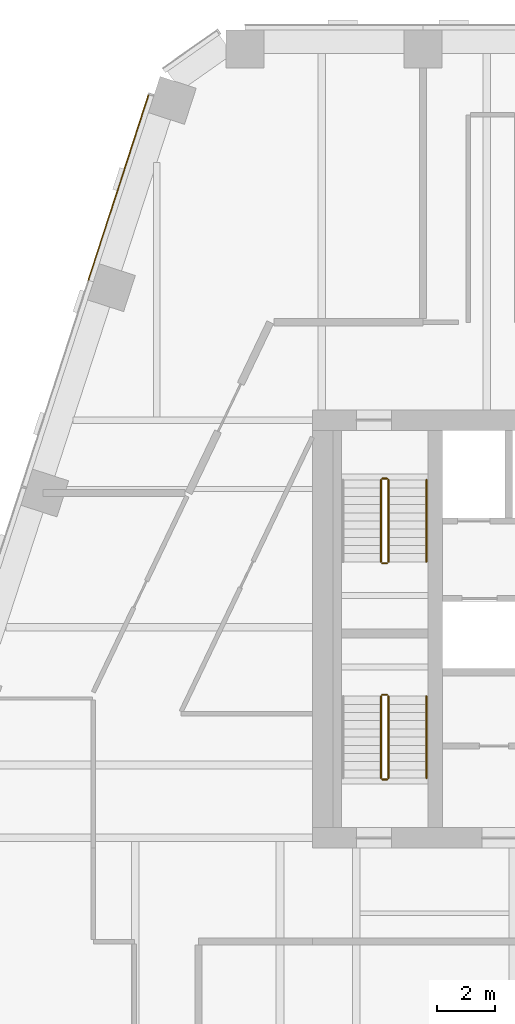
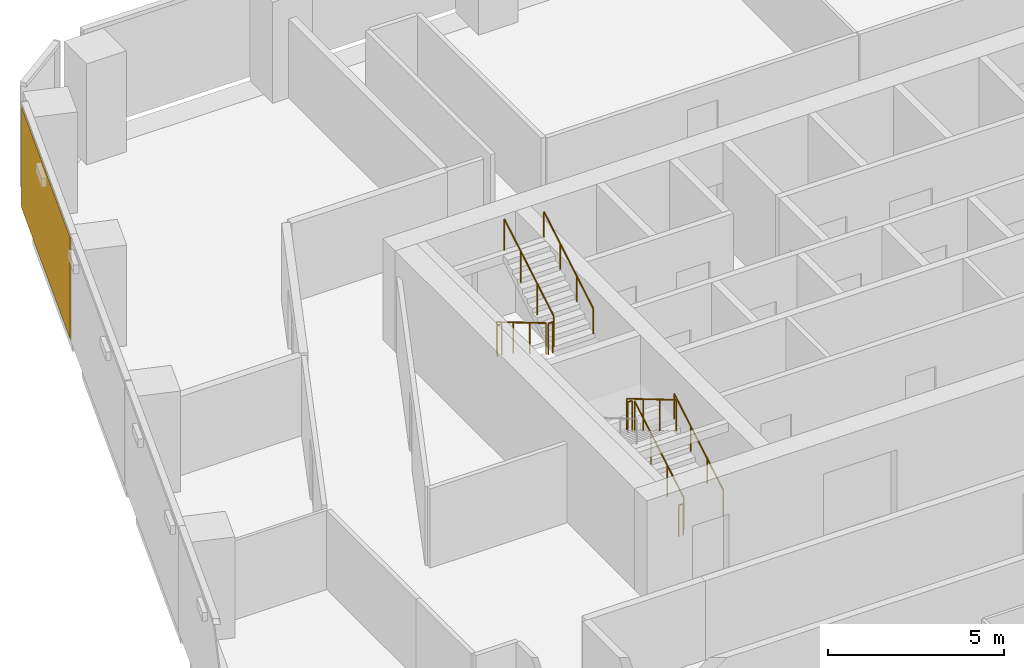
# One storey, part 16 of 17: 10 railings, 1 covering, 1 element without a shape of its own.
"""IFC4 building model written with IfcOpenShell, lengths in metres."""

import ifcopenshell
import ifcopenshell.guid

model = None  # the IFC model being written
_history = None  # IfcOwnerHistory: only IFC2X3 demands one
_inside = {}  # id of a spatial element -> (the spatial element, [elements in it])
_under = {}  # id of a project, library or spatial element -> (it, [spatial elements below it])
_declared = {}  # id of a project -> (the project, [libraries it declares])
_typed = {}  # id of a type object -> (the type object, [elements of that type])
_made_of = {}  # id of a material, layer set ... -> (it, [elements and type objects made of it])


def new_model(schema):
    """Start an empty IFC model of exactly this schema.

    Asked for "IFC4X3", IfcOpenShell would pick the latest addendum, in which some entities
    have other attributes; the version numbers below select the first issue.
    IFC2X3 requires an IfcOwnerHistory on every rooted entity: one is made here for all.
    """
    global model, _history
    if schema == "IFC4X3":
        model = ifcopenshell.file(schema_version=(4, 3, 0, 0))
    else:
        model = ifcopenshell.file(schema=schema)
    _inside.clear()
    _under.clear()
    _declared.clear()
    _typed.clear()
    _made_of.clear()
    _history = None
    if model.schema == "IFC2X3":
        org = make("IfcOrganization", Name="unknown")
        user = make(
            "IfcPersonAndOrganization",
            ThePerson=make("IfcPerson", FamilyName="unknown"),
            TheOrganization=org,
        )
        app = make(
            "IfcApplication",
            ApplicationDeveloper=org,
            Version="unknown",
            ApplicationFullName="unknown",
            ApplicationIdentifier="unknown",
        )
        _history = make(
            "IfcOwnerHistory",
            OwningUser=user,
            OwningApplication=app,
            ChangeAction="ADDED",
            CreationDate=0,
        )
    return model


def make(cls, **values):
    """One entity of the class cls with the attributes given. An attribute that is None is left unset."""
    return model.create_entity(
        cls, **{name: value for name, value in values.items() if value is not None}
    )


def rooted(cls, **values):
    """An entity with a GlobalId (a new one), such as an element, a storey or a relation."""
    return make(cls, GlobalId=ifcopenshell.guid.new(), OwnerHistory=_history, **values)


def si_unit(unit_type, name, prefix=None):
    """IfcSIUnit, for example si_unit("LENGTHUNIT", "METRE", prefix="MILLI")."""
    return make("IfcSIUnit", UnitType=unit_type, Prefix=prefix, Name=name)


def assignment(units):
    """IfcUnitAssignment: the units of a project."""
    return None if units is None else make("IfcUnitAssignment", Units=units)


def point(xyz):
    """IfcCartesianPoint."""
    return None if xyz is None else make("IfcCartesianPoint", Coordinates=xyz)


def direction(xyz):
    """IfcDirection."""
    return None if xyz is None else make("IfcDirection", DirectionRatios=xyz)


def frame(location, z_axis=None, x_axis=None):
    """IfcAxis2Placement3D, a coordinate frame: its origin and axes. An axis left out is left unset."""
    return make(
        "IfcAxis2Placement3D",
        Location=point(location),
        Axis=direction(z_axis),
        RefDirection=direction(x_axis),
    )


def frame_2d(location, x_axis=None):
    """IfcAxis2Placement2D, a coordinate frame in the plane: its origin and x axis."""
    return make(
        "IfcAxis2Placement2D", Location=point(location), RefDirection=direction(x_axis)
    )


def origin():
    """The frame at (0, 0, 0) with its axes left unset."""
    return frame((0.0, 0.0, 0.0))


def origin_2d():
    """The frame at (0, 0) in the plane with its x axis left unset."""
    return frame_2d((0.0, 0.0))


def place(relative_to, where):
    """IfcLocalPlacement: puts the frame where relative to a parent placement (None: the world)."""
    return make(
        "IfcLocalPlacement", PlacementRelTo=relative_to, RelativePlacement=where
    )


def context(
    kind, dimensions, precision=None, world=None, true_north=None, identifier=None
):
    """IfcGeometricRepresentationContext, for example the 3D "Model" context."""
    return make(
        "IfcGeometricRepresentationContext",
        ContextIdentifier=identifier,
        ContextType=kind,
        CoordinateSpaceDimension=dimensions,
        Precision=precision,
        WorldCoordinateSystem=world,
        TrueNorth=true_north,
    )


def subcontext(parent, identifier, kind, view, scale=None):
    """IfcGeometricRepresentationSubContext, for example "Body" below "Model"."""
    return make(
        "IfcGeometricRepresentationSubContext",
        ContextIdentifier=identifier,
        ContextType=kind,
        ParentContext=parent,
        TargetScale=scale,
        TargetView=view,
    )


def project(units=None, contexts=None):
    """IfcProject with its units and contexts."""
    return rooted(
        "IfcProject",
        Name="project",
        RepresentationContexts=contexts,
        UnitsInContext=assignment(units),
    )


def spatial(cls, under=None, at=None, **own):
    """A site, building, storey or space (cls), placed at a placement, below another one or the project."""
    s = rooted(cls, ObjectPlacement=at, **own)
    if under is not None:
        _under.setdefault(under.id(), (under, []))[1].append(s)
    return s


def profile(cls, at=None, kind="AREA", **sizes):
    """A parametric profile (cls). Its sizes go by their IFC names, for example OverallWidth=200.0."""
    return make(cls, ProfileType=kind, Position=at, **sizes)


def rectangle(**sizes):
    """IfcRectangleProfileDef."""
    return profile("IfcRectangleProfileDef", **sizes)


def circle(**sizes):
    """IfcCircleProfileDef."""
    return profile("IfcCircleProfileDef", **sizes)


def extrude(swept, where, along, depth):
    """IfcExtrudedAreaSolid: the profile swept, set in the frame where, extruded along a direction by depth."""
    return make(
        "IfcExtrudedAreaSolid",
        SweptArea=swept,
        Position=where,
        ExtrudedDirection=direction(along),
        Depth=depth,
    )


def shape(context_of_items, identifier, shape_type, items):
    """IfcShapeRepresentation: the items that make up one representation, for example the "Body"."""
    return make(
        "IfcShapeRepresentation",
        ContextOfItems=context_of_items,
        RepresentationIdentifier=identifier,
        RepresentationType=shape_type,
        Items=items,
    )


def material(Name=None, Category=None):
    """IfcMaterial."""
    return make("IfcMaterial", Name=Name, Category=Category)


def layer(
    of_material, thickness, ventilated=None, Name=None, Category=None, Priority=None
):
    """IfcMaterialLayer: one layer of a wall or slab, of a material (None: an air gap)."""
    return make(
        "IfcMaterialLayer",
        Material=of_material,
        LayerThickness=thickness,
        IsVentilated=ventilated,
        Name=Name,
        Category=Category,
        Priority=Priority,
    )


def layer_set(layers, Name=None):
    """IfcMaterialLayerSet."""
    return make("IfcMaterialLayerSet", MaterialLayers=layers, LayerSetName=Name)


def made_of(thing, what):
    """Note that an element or type object is made of a material, layer set ...; save() writes the relation."""
    if what is not None:
        _made_of.setdefault(what.id(), (what, []))[1].append(thing)
    return thing


def type_object(cls, material=None, **own):
    """A type object (cls), such as IfcWallType, which elements share."""
    return made_of(rooted(cls, **own), material)


def element(
    cls,
    number,
    at=None,
    inside=None,
    cuts=None,
    type_object=None,
    material=None,
    context=None,
    identifier="Body",
    shape_type=None,
    held_by="IfcProductDefinitionShape",
    body=None,
    shapes=None,
    **own,
):
    """One element of the class cls, such as IfcWall. Its Tag is "e" and its number.

    at: its placement. inside: the storey or other place that contains it. cuts: it is an
    opening in that element (IfcRelVoidsElement). A single representation is given by context,
    identifier, shape_type and body (its items); several are given by shapes. held_by: the class
    of the entity that holds the representations. save() writes the other relations.
    """
    e = rooted(cls, Tag="e%d" % number, ObjectPlacement=at, **own)
    if body is not None:
        shapes = [shape(context, identifier, shape_type, body)]
    if shapes is not None:
        e.Representation = make(held_by, Representations=shapes)
    if inside is not None:
        _inside.setdefault(inside.id(), (inside, []))[1].append(e)
    if cuts is not None:
        rooted(
            "IfcRelVoidsElement", RelatingBuildingElement=cuts, RelatedOpeningElement=e
        )
    if type_object is not None:
        _typed.setdefault(type_object.id(), (type_object, []))[1].append(e)
    return made_of(e, material)


def aggregate(whole, parts):
    """IfcRelAggregates: a whole, such as a stair, and the parts it consists of."""
    return rooted("IfcRelAggregates", RelatingObject=whole, RelatedObjects=parts)


def save(model, path):
    """Write the relations noted so far, then the file.

    IfcRelAggregates (storeys below a building ...), IfcRelContainedInSpatialStructure (elements
    in a storey), IfcRelDefinesByType, IfcRelAssociatesMaterial and IfcRelDeclares: one each for
    every whole, place, type object, material and project.
    """
    for whole, parts in _under.values():
        aggregate(whole, parts)
    for where, things in _inside.values():
        rooted(
            "IfcRelContainedInSpatialStructure",
            RelatedElements=things,
            RelatingStructure=where,
        )
    for kind, things in _typed.values():
        rooted("IfcRelDefinesByType", RelatedObjects=things, RelatingType=kind)
    for what, things in _made_of.values():
        rooted("IfcRelAssociatesMaterial", RelatedObjects=things, RelatingMaterial=what)
    for by, libraries in _declared.values():
        rooted("IfcRelDeclares", RelatingContext=by, RelatedDefinitions=libraries)
    model.write(path)


model = new_model("IFC4")

# Units and contexts
model_context = context("Model", 3, precision=1e-05, world=origin(), true_north=direction((0.0, 1.0)))
body_context = subcontext(model_context, "Body", "Model", "MODEL_VIEW")
ifc_project = project(units=[si_unit("LENGTHUNIT", "METRE"), si_unit("AREAUNIT", "SQUARE_METRE"), si_unit("VOLUMEUNIT", "CUBIC_METRE"), si_unit("PLANEANGLEUNIT", "RADIAN"), si_unit("MASSUNIT", "GRAM", prefix="KILO")], contexts=[model_context])

# Site, building, storey
site_placement = place(None, origin())
site = spatial("IfcSite", under=ifc_project, at=site_placement, CompositionType="ELEMENT")
building_placement = place(site_placement, origin())
building = spatial("IfcBuilding", under=site, at=building_placement, Name="Isthmus Gate Tower", CompositionType="ELEMENT")
storey_placement = place(building_placement, frame((0.0, 0.0, 200.0)))
storey = spatial("IfcBuildingStorey", under=building, at=storey_placement, Name="L50", CompositionType="ELEMENT", Elevation=200.0)

# Curtain wall, covering
ifc_material_1 = material(Name="Aluminium, pale champagne anodised", Category="aluminium")
ifc_layer_1 = layer(ifc_material_1, 0.199951171875)
ifc_layer_set_1 = layer_set([ifc_layer_1], Name="CW-1 UNITISED CURTAIN WALL 200 DEEP")
curtain_wall_type = type_object("IfcCurtainWallType", Name="CW-1 UNITISED CURTAIN WALL 200 DEEP", PredefinedType="NOTDEFINED", material=ifc_layer_set_1)
curtain_wall_placement = place(storey_placement, origin())
curtain_wall = element("IfcCurtainWall", 1, at=curtain_wall_placement, inside=storey, type_object=curtain_wall_type, Name="CW-1 NW L50", PredefinedType="NOTDEFINED")
ifc_material_2 = material(Name="Aluminium composite panel, pale champagne anodised", Category="aluminium")
ifc_layer_2 = layer(ifc_material_2, 0.035888671875)
ifc_layer_set_2 = layer_set([ifc_layer_2], Name="CW-1 PALE METAL PANEL 36")
covering_type = type_object("IfcCoveringType", Name="CW-1 PALE METAL PANEL 36", PredefinedType="CLADDING", material=ifc_layer_set_2)
covering_placement = place(storey_placement, frame((-21.6396484375, 22.619140625, 0.0), z_axis=(0.0, 0.0, 1.0), x_axis=(-0.309016994375, -0.951056516295, 0.0)))
covering = element("IfcCovering", 2, at=covering_placement, type_object=covering_type, Name="CW-1 pale metal panel", PredefinedType="CLADDING", context=body_context, shape_type="SweptSolid", body=[
    extrude(rectangle(XDim=6.680908203125, YDim=0.035888671875, at=origin_2d()), origin(), (0.0, 0.0, 1.0), 3.510009765625),
])
aggregate(curtain_wall, [covering])

# Railings
ifc_material_3 = material(Name="Stainless steel balustrade", Category="steel")
railing_type_1 = type_object("IfcRailingType", Name="STAIR GUARD 1100", PredefinedType="GUARDRAIL", material=ifc_material_3)
railing_1_placement = place(storey_placement, frame((-12.64990234375, 12.60009765625, 0.166015625)))
element("IfcRailing", 3, at=railing_1_placement, inside=storey, type_object=railing_type_1, Name="L50 ST1 stair guard 1", PredefinedType="GUARDRAIL", context=body_context, shape_type="SweptSolid", body=[
    extrude(circle(Radius=0.02392578125, at=origin_2d()), frame((0.0, 0.0, 1.076171875), z_axis=(0.0, -0.860339051648, 0.50972219513), x_axis=(1.0, 0.0, 0.0)), (0.0, 0.0, 1.0), 3.254638671875),
    extrude(circle(Radius=0.02099609375, at=origin_2d()), origin(), (0.0, 0.0, 1.0), 1.052001953125),
    extrude(circle(Radius=0.02099609375, at=origin_2d()), frame((0.0, -0.933349609375, 0.552978515625)), (0.0, 0.0, 1.0), 1.052001953125),
    extrude(circle(Radius=0.02099609375, at=origin_2d()), frame((0.0, -1.86669921875, 1.10595703125)), (0.0, 0.0, 1.0), 1.052001953125),
    extrude(circle(Radius=0.02099609375, at=origin_2d()), frame((0.0, -2.800048828125, 1.658935546875)), (0.0, 0.0, 1.0), 1.052001953125),
])
railing_2_placement = place(storey_placement, frame((-12.60009765625, 9.75, 1.824951171875)))
element("IfcRailing", 4, at=railing_2_placement, inside=storey, type_object=railing_type_1, Name="L50 ST1 stair guard 2", PredefinedType="GUARDRAIL", context=body_context, shape_type="SweptSolid", body=[
    extrude(circle(Radius=0.02392578125, at=origin_2d()), frame((0.0, 0.0, 1.076171875), z_axis=(1.0, 0.0, 0.0), x_axis=(0.0, 1.0, 0.0)), (0.0, 0.0, 1.0), 0.150146484375),
    extrude(circle(Radius=0.02099609375, at=origin_2d()), origin(), (0.0, 0.0, 1.0), 1.052001953125),
    extrude(circle(Radius=0.02099609375, at=origin_2d()), frame((0.150146484375, 0.0, 0.0)), (0.0, 0.0, 1.0), 1.052001953125),
])
railing_3_placement = place(storey_placement, frame((-12.39990234375, 9.800048828125, 1.990966796875)))
element("IfcRailing", 5, at=railing_3_placement, inside=storey, type_object=railing_type_1, Name="L50 ST1 stair guard 3", PredefinedType="GUARDRAIL", context=body_context, shape_type="SweptSolid", body=[
    extrude(circle(Radius=0.02392578125, at=origin_2d()), frame((0.0, 0.0, 1.076171875), z_axis=(0.0, 0.860339051648, 0.50972219513), x_axis=(-1.0, 0.0, 0.0)), (0.0, 0.0, 1.0), 3.254638671875),
    extrude(circle(Radius=0.02099609375, at=origin_2d()), origin(), (0.0, 0.0, 1.0), 1.052001953125),
    extrude(circle(Radius=0.02099609375, at=origin_2d()), frame((0.0, 0.933349609375, 0.552978515625)), (0.0, 0.0, 1.0), 1.052001953125),
    extrude(circle(Radius=0.02099609375, at=origin_2d()), frame((0.0, 1.86669921875, 1.10595703125)), (0.0, 0.0, 1.0), 1.052001953125),
    extrude(circle(Radius=0.02099609375, at=origin_2d()), frame((0.0, 2.800048828125, 1.658935546875)), (0.0, 0.0, 1.0), 1.052001953125),
])
railing_4_placement = place(storey_placement, frame((-12.60009765625, 12.64990234375, 0.0)))
element("IfcRailing", 6, at=railing_4_placement, inside=storey, type_object=railing_type_1, Name="L50 ST1 stair guard 4", PredefinedType="GUARDRAIL", context=body_context, shape_type="SweptSolid", body=[
    extrude(circle(Radius=0.02392578125, at=origin_2d()), frame((0.0, 0.0, 1.076171875), z_axis=(1.0, 0.0, 0.0), x_axis=(0.0, 1.0, 0.0)), (0.0, 0.0, 1.0), 0.150146484375),
    extrude(circle(Radius=0.02099609375, at=origin_2d()), origin(), (0.0, 0.0, 1.0), 1.052001953125),
    extrude(circle(Radius=0.02099609375, at=origin_2d()), frame((0.150146484375, 0.0, 0.0)), (0.0, 0.0, 1.0), 1.052001953125),
])
railing_5_placement = place(storey_placement, frame((-12.39990234375, 2.39990234375, 0.166015625)))
element("IfcRailing", 7, at=railing_5_placement, inside=storey, type_object=railing_type_1, Name="L50 ST7 stair guard 1", PredefinedType="GUARDRAIL", context=body_context, shape_type="SweptSolid", body=[
    extrude(circle(Radius=0.02392578125, at=origin_2d()), frame((0.0, 0.0, 1.076171875), z_axis=(0.0, 0.860339051648, 0.50972219513), x_axis=(-1.0, 0.0, 0.0)), (0.0, 0.0, 1.0), 3.254638671875),
    extrude(circle(Radius=0.02099609375, at=origin_2d()), origin(), (0.0, 0.0, 1.0), 1.052001953125),
    extrude(circle(Radius=0.02099609375, at=origin_2d()), frame((0.0, 0.933349609375, 0.552978515625)), (0.0, 0.0, 1.0), 1.052001953125),
    extrude(circle(Radius=0.02099609375, at=origin_2d()), frame((0.0, 1.86669921875, 1.10595703125)), (0.0, 0.0, 1.0), 1.052001953125),
    extrude(circle(Radius=0.02099609375, at=origin_2d()), frame((0.0, 2.800048828125, 1.658935546875)), (0.0, 0.0, 1.0), 1.052001953125),
])
railing_6_placement = place(storey_placement, frame((-12.449951171875, 5.25, 1.824951171875)))
element("IfcRailing", 8, at=railing_6_placement, inside=storey, type_object=railing_type_1, Name="L50 ST7 stair guard 2", PredefinedType="GUARDRAIL", context=body_context, shape_type="SweptSolid", body=[
    extrude(circle(Radius=0.02392578125, at=origin_2d()), frame((0.0, 0.0, 1.076171875), z_axis=(-1.0, 0.0, 0.0), x_axis=(0.0, -1.0, 0.0)), (0.0, 0.0, 1.0), 0.150146484375),
    extrude(circle(Radius=0.02099609375, at=origin_2d()), origin(), (0.0, 0.0, 1.0), 1.052001953125),
    extrude(circle(Radius=0.02099609375, at=origin_2d()), frame((-0.150146484375, 0.0, 0.0)), (0.0, 0.0, 1.0), 1.052001953125),
])
railing_7_placement = place(storey_placement, frame((-12.64990234375, 5.199951171875, 1.990966796875)))
element("IfcRailing", 9, at=railing_7_placement, inside=storey, type_object=railing_type_1, Name="L50 ST7 stair guard 3", PredefinedType="GUARDRAIL", context=body_context, shape_type="SweptSolid", body=[
    extrude(circle(Radius=0.02392578125, at=origin_2d()), frame((0.0, 0.0, 1.076171875), z_axis=(0.0, -0.860339051648, 0.50972219513), x_axis=(1.0, 0.0, 0.0)), (0.0, 0.0, 1.0), 3.254638671875),
    extrude(circle(Radius=0.02099609375, at=origin_2d()), origin(), (0.0, 0.0, 1.0), 1.052001953125),
    extrude(circle(Radius=0.02099609375, at=origin_2d()), frame((0.0, -0.933349609375, 0.552978515625)), (0.0, 0.0, 1.0), 1.052001953125),
    extrude(circle(Radius=0.02099609375, at=origin_2d()), frame((0.0, -1.86669921875, 1.10595703125)), (0.0, 0.0, 1.0), 1.052001953125),
    extrude(circle(Radius=0.02099609375, at=origin_2d()), frame((0.0, -2.800048828125, 1.658935546875)), (0.0, 0.0, 1.0), 1.052001953125),
])
railing_8_placement = place(storey_placement, frame((-12.449951171875, 2.35009765625, 0.0)))
element("IfcRailing", 10, at=railing_8_placement, inside=storey, type_object=railing_type_1, Name="L50 ST7 stair guard 4", PredefinedType="GUARDRAIL", context=body_context, shape_type="SweptSolid", body=[
    extrude(circle(Radius=0.02392578125, at=origin_2d()), frame((0.0, 0.0, 1.076171875), z_axis=(-1.0, 0.0, 0.0), x_axis=(0.0, -1.0, 0.0)), (0.0, 0.0, 1.0), 0.150146484375),
    extrude(circle(Radius=0.02099609375, at=origin_2d()), origin(), (0.0, 0.0, 1.0), 1.052001953125),
    extrude(circle(Radius=0.02099609375, at=origin_2d()), frame((-0.150146484375, 0.0, 0.0)), (0.0, 0.0, 1.0), 1.052001953125),
])
ifc_material_4 = material(Name="Stainless steel handrail", Category="steel")
railing_type_2 = type_object("IfcRailingType", Name="STAIR HANDRAIL 900", PredefinedType="HANDRAIL", material=ifc_material_4)
for number, where, name in (
    (11, (-11.10009765625, 9.800048828125, 1.990966796875), "L50 ST1 stair handrail 2"),
    (12, (-11.10009765625, 2.39990234375, 0.166015625), "L50 ST7 stair handrail 1"),
):
    element("IfcRailing", number, at=place(storey_placement, frame(where)), inside=storey, type_object=railing_type_2, Name=name, PredefinedType="HANDRAIL", context=body_context, shape_type="SweptSolid", body=[
        extrude(circle(Radius=0.02392578125, at=origin_2d()), frame((0.0, 0.0, 0.8759765625), z_axis=(0.0, 0.860339051648, 0.50972219513), x_axis=(-1.0, 0.0, 0.0)), (0.0, 0.0, 1.0), 3.254638671875),
        extrude(circle(Radius=0.02099609375, at=origin_2d()), origin(), (0.0, 0.0, 1.0), 0.851806640625),
        extrude(circle(Radius=0.02099609375, at=origin_2d()), frame((0.0, 0.933349609375, 0.552978515625)), (0.0, 0.0, 1.0), 0.851806640625),
        extrude(circle(Radius=0.02099609375, at=origin_2d()), frame((0.0, 1.86669921875, 1.10595703125)), (0.0, 0.0, 1.0), 0.851806640625),
        extrude(circle(Radius=0.02099609375, at=origin_2d()), frame((0.0, 2.800048828125, 1.658935546875)), (0.0, 0.0, 1.0), 0.851806640625),
    ])

save(model, "model.ifc")
